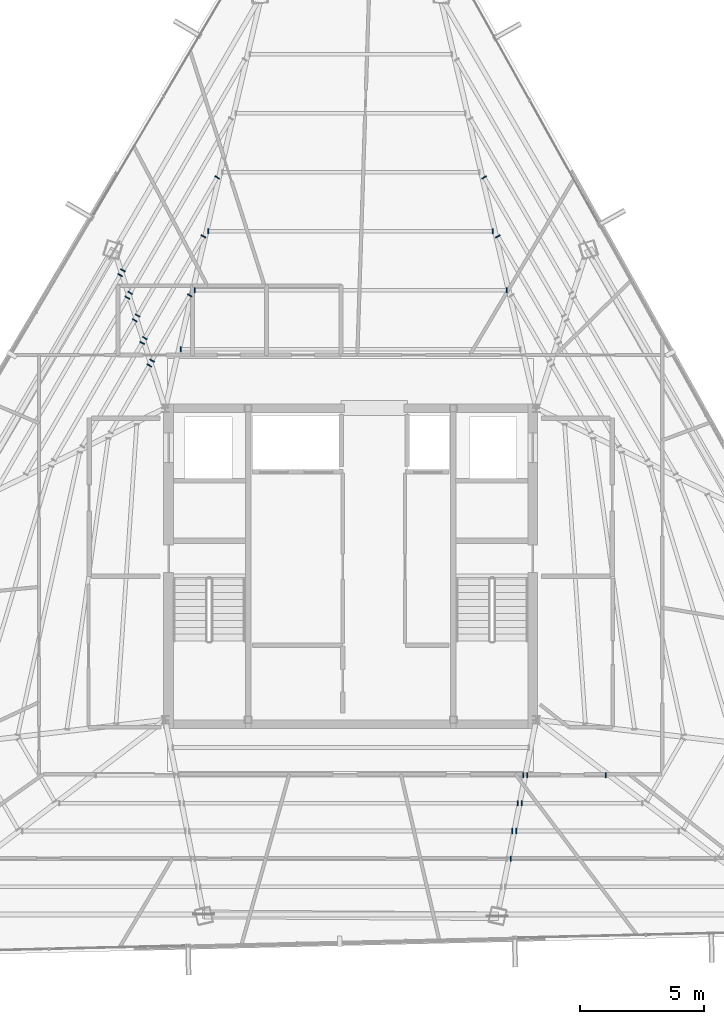
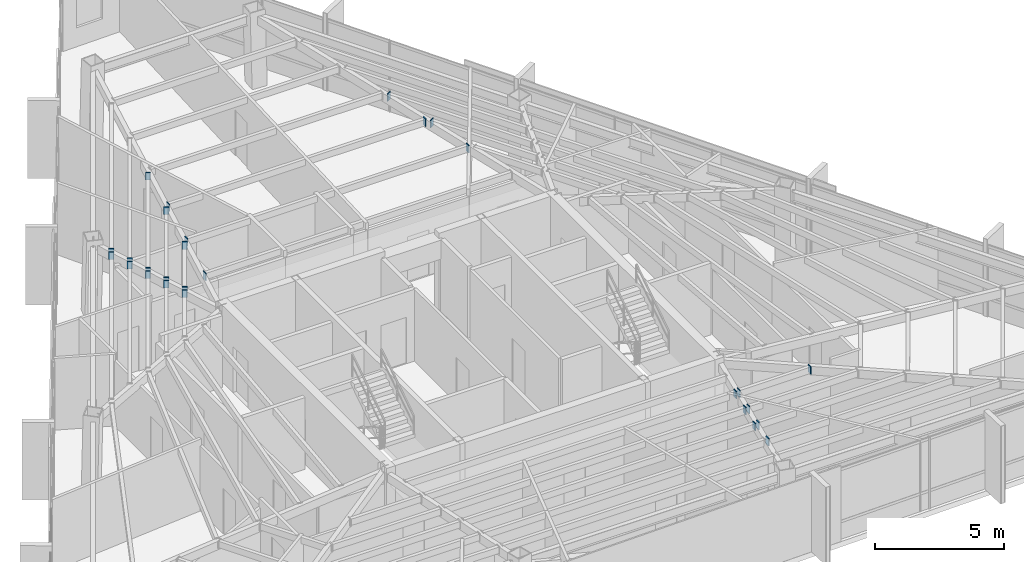
# One storey, part 37 of 45: 28 plates.
"""IFC4 building model written with IfcOpenShell, lengths in metres."""

from ifc_helpers import new_model, si_unit, direction, frame, origin, origin_2d, place, context, subcontext, project, spatial, rectangle, extrude, source, transform, mapped, material, layer, layer_set, type_object, type_shapes, element, save


model = new_model("IFC4")

# Units and contexts
model_context = context("Model", 3, precision=1e-05, world=origin(), true_north=direction((0.0, 1.0)))
body_context = subcontext(model_context, "Body", "Model", "MODEL_VIEW")
ifc_project = project(units=[si_unit("LENGTHUNIT", "METRE"), si_unit("AREAUNIT", "SQUARE_METRE"), si_unit("VOLUMEUNIT", "CUBIC_METRE"), si_unit("PLANEANGLEUNIT", "RADIAN"), si_unit("MASSUNIT", "GRAM", prefix="KILO")], contexts=[model_context])

# Site, building, storey
site_placement = place(None, origin())
site = spatial("IfcSite", under=ifc_project, at=site_placement, CompositionType="ELEMENT")
building_placement = place(site_placement, origin())
building = spatial("IfcBuilding", under=site, at=building_placement, Name="Caelisora Broadcast Tower", CompositionType="ELEMENT")
storey_placement = place(building_placement, frame((0.0, 0.0, 262.699951171875)))
storey = spatial("IfcBuildingStorey", under=building, at=storey_placement, Name="L69", CompositionType="ELEMENT", Elevation=262.699951171875)

# Plates
ifc_material = material(Name="Steel Grade 350 L15 (AS/NZS 3678)", Category="steel")
ifc_layer = layer(ifc_material, 0.0400390625, Name="Steel Grade 350 L15 (AS/NZS 3678)")
ifc_layer_set = layer_set([ifc_layer], Name="Steel Grade 350 L15 (AS/NZS 3678)")
plate_type = type_object("IfcPlateType", Name="GP04", PredefinedType="USERDEFINED", material=ifc_layer_set)
shared_shape = source(origin(), body_context, "Body", "SweptSolid", [
    extrude(rectangle(XDim=0.2099609375, YDim=0.0400390625, at=origin_2d()), origin(), (0.0, 0.0, 1.0), 0.360107421875),
])
type_shapes(plate_type, [shared_shape])
for number, where, z_axis, x_axis, name in (
    (1, (31.1357421875, 32.384521484375, 3.06982421875), (0.0, 0.0, 1.0), (0.0, -1.0, 0.0), "L69 gusset plate GP04 (ND-SB-L69-001B)"),
    (2, (44.308349609375, 34.769287109375, 3.06982421875), (0.0, 0.0, 1.0), (0.0, -1.0, 0.0), "L69 gusset plate GP04 (ND-SB-L69-002A)"),
    (3, (31.691650390625, 34.769287109375, 3.06982421875), (0.0, 0.0, 1.0), (0.0, -1.0, 0.0), "L69 gusset plate GP04 (ND-SB-L69-002B)"),
    (4, (43.75244140625, 37.15380859375, 3.06982421875), (0.0, 0.0, 1.0), (0.0, -1.0, 0.0), "L69 gusset plate GP04 (ND-SB-L69-003A)"),
    (5, (32.24755859375, 37.15380859375, 3.06982421875), (0.0, 0.0, 1.0), (0.0, -1.0, 0.0), "L69 gusset plate GP04 (ND-SB-L69-003B)"),
    (6, (31.49169921875, 34.561279296875, 3.06982421875), (0.0, 0.0, 1.0), (0.866025403784, -0.5, 0.0), "L69 gusset plate GP04 (ND-SB-L69-007A)"),
    (7, (29.968017578125, 31.922119140625, 3.06982421875), (0.0, 0.0, 1.0), (0.866025403784, -0.5, 0.0), "L69 gusset plate GP04 (ND-SB-L69-007B)"),
    (8, (32.0478515625, 36.94580078125, 3.06982421875), (0.0, 0.0, 1.0), (0.866025403784, -0.5, 0.0), "L69 gusset plate GP04 (ND-SB-L69-008A)"),
    (9, (29.674072265625, 32.83447265625, 3.06982421875), (0.0, 0.0, 1.0), (0.866025403784, -0.5, 0.0), "L69 gusset plate GP04 (ND-SB-L69-008B)"),
    (10, (32.603759765625, 39.330322265625, 3.06982421875), (0.0, 0.0, 1.0), (0.866025403784, -0.5, 0.0), "L69 gusset plate GP04 (ND-SB-L69-009A)"),
    (11, (29.380126953125, 33.7470703125, 3.06982421875), (0.0, 0.0, 1.0), (0.866025403784, -0.5, 0.0), "L69 gusset plate GP04 (ND-SB-L69-009B)"),
    (12, (29.086181640625, 34.65966796875, 3.06982421875), (0.0, 0.0, 1.0), (0.866025403784, -0.5, 0.0), "L69 gusset plate GP04 (ND-SB-L69-010B)"),
    (13, (28.792236328125, 35.572021484375, 3.06982421875), (0.0, 0.0, 1.0), (0.866025403784, -0.5, 0.0), "L69 gusset plate GP04 (ND-SB-L69-011B)"),
    (14, (29.856201171875, 31.72802734375, 3.06982421875), (0.0, 0.0, 1.0), (0.866025403784, -0.5, 0.0), "L69 gusset plate GP04 (ND-SB-L69-012A)"),
    (15, (29.562255859375, 32.640625, 3.06982421875), (0.0, 0.0, 1.0), (0.866025403784, -0.5, 0.0), "L69 gusset plate GP04 (ND-SB-L69-013A)"),
    (16, (29.268310546875, 33.55322265625, 3.06982421875), (0.0, 0.0, 1.0), (0.866025403784, -0.5, 0.0), "L69 gusset plate GP04 (ND-SB-L69-014A)"),
    (17, (28.974365234375, 34.4658203125, 3.06982421875), (0.0, 0.0, 1.0), (0.866025403784, -0.5, 0.0), "L69 gusset plate GP04 (ND-SB-L69-015A)"),
    (18, (28.680419921875, 35.37841796875, 3.06982421875), (0.0, 0.0, 1.0), (0.866025403784, -0.5, 0.0), "L69 gusset plate GP04 (ND-SB-L69-016A)"),
    (19, (44.97802734375, 15.151123046875, 3.06982421875), (0.0, 0.0, 1.0), (0.0, 1.0, 0.0), "L69 gusset plate GP04 (ND-SB-L69-032B)"),
    (20, (44.756591796875, 14.026611328125, 3.06982421875), (0.0, 0.0, 1.0), (0.0, 1.0, 0.0), "L69 gusset plate GP04 (ND-SB-L69-033B)"),
    (21, (44.534912109375, 12.90234375, 3.06982421875), (0.0, 0.0, 1.0), (0.0, 1.0, 0.0), "L69 gusset plate GP04 (ND-SB-L69-034B)"),
    (22, (45.1357421875, 15.151123046875, 3.06982421875), (0.0, 0.0, 1.0), (0.0, 1.0, 0.0), "L69 gusset plate GP04 (ND-SB-L69-037A)"),
    (23, (48.314208984375, 15.151123046875, 3.06982421875), (0.0, 0.0, 1.0), (0.0, 1.0, 0.0), "L69 gusset plate GP04 (ND-SB-L69-037B)"),
    (24, (44.914306640625, 14.026611328125, 3.06982421875), (0.0, 0.0, 1.0), (0.0, 1.0, 0.0), "L69 gusset plate GP04 (ND-SB-L69-038A)"),
    (25, (44.69287109375, 12.90234375, 3.06982421875), (0.0, 0.0, 1.0), (0.0, 1.0, 0.0), "L69 gusset plate GP04 (ND-SB-L69-039A)"),
    (26, (44.47119140625, 11.77783203125, 3.06982421875), (0.0, 0.0, 1.0), (0.0, 1.0, 0.0), "L69 gusset plate GP04 (ND-SB-L69-040A)"),
    (27, (43.9521484375, 36.94580078125, 3.06982421875), (0.0, 0.0, 1.0), (-0.866025403784, -0.5, 0.0), "L69 gusset plate GP04 (ND-SB-L69-057B)"),
    (28, (43.396240234375, 39.330322265625, 3.06982421875), (0.0, 0.0, 1.0), (-0.866025403784, -0.5, 0.0), "L69 gusset plate GP04 (ND-SB-L69-058B)"),
):
    element("IfcPlate", number, at=place(storey_placement, frame(where, z_axis=z_axis, x_axis=x_axis)), inside=storey, type_object=plate_type, Name=name, ObjectType="GUSSET PLATE", PredefinedType="USERDEFINED", context=body_context, shape_type="MappedRepresentation", body=[
        mapped(shared_shape, transform((0.0, 0.0, 0.0), scale=1.0)),
    ])

save(model, "model.ifc")
